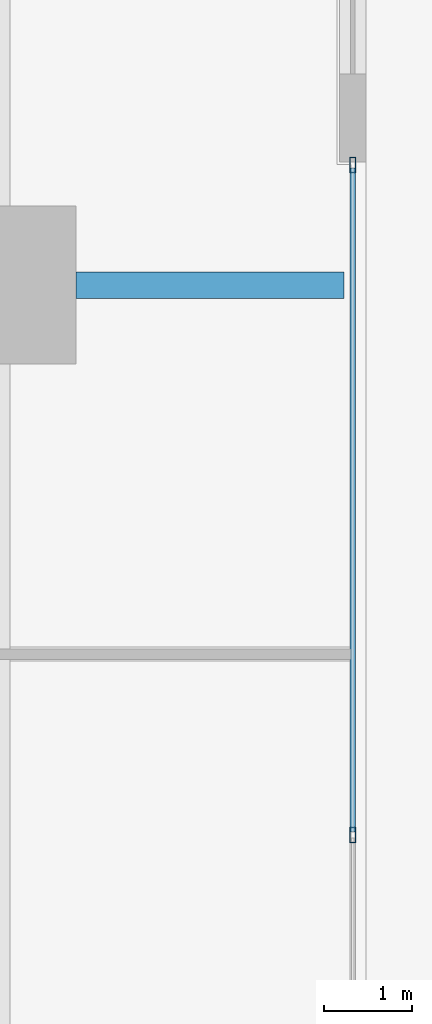
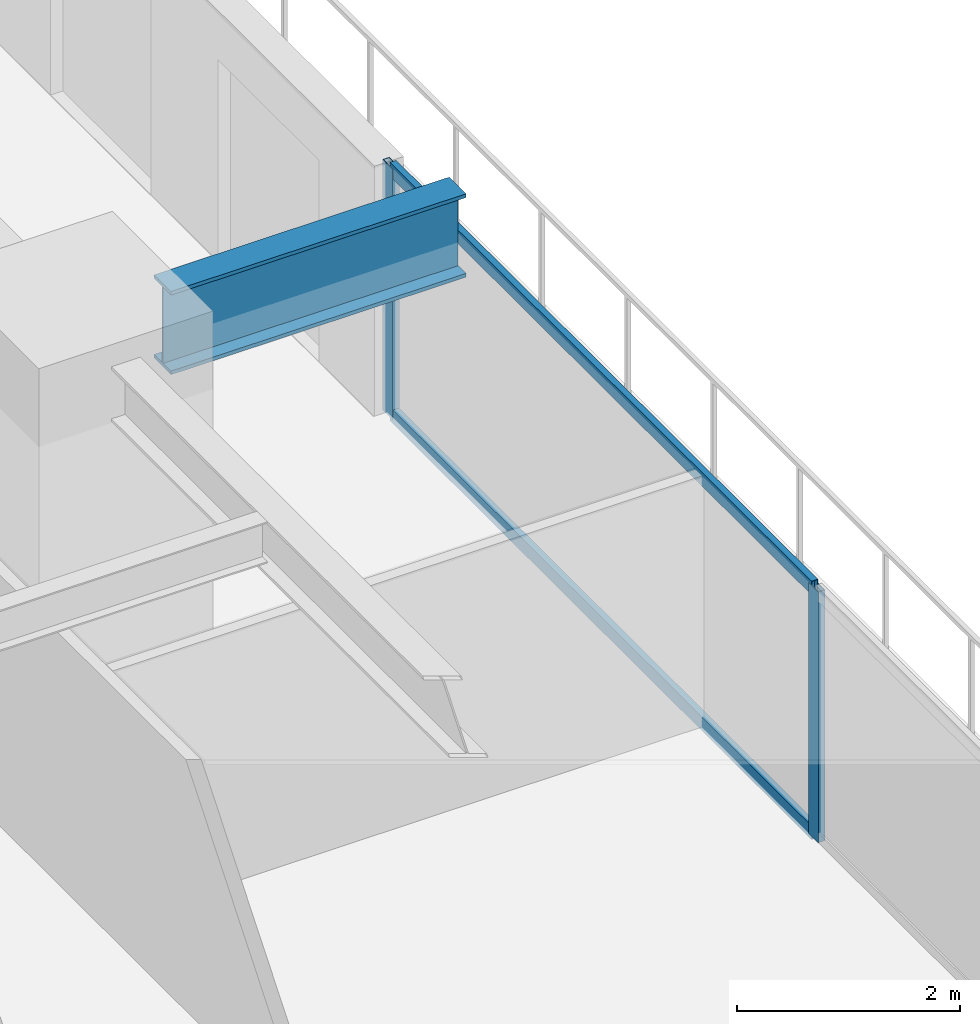
# One storey, part 15 of 33: 4 members, 1 beam, 1 element without a shape of its own.
"""IFC4 building model written with IfcOpenShell, lengths in metres."""

from ifc_helpers import new_model, si_unit, direction, frame, origin, origin_2d, place, context, subcontext, project, spatial, hollow_rectangle, i_section, extrude, source, transform, mapped, material, layer, layer_set, material_profile, profile_set, type_object, element, aggregate, save


model = new_model("IFC4")

# Units and contexts
model_context = context("Model", 3, precision=1e-05, world=origin(), true_north=direction((0.0, 1.0)))
body_context = subcontext(model_context, "Body", "Model", "MODEL_VIEW")
ifc_project = project(units=[si_unit("LENGTHUNIT", "METRE"), si_unit("AREAUNIT", "SQUARE_METRE"), si_unit("VOLUMEUNIT", "CUBIC_METRE"), si_unit("PLANEANGLEUNIT", "RADIAN"), si_unit("MASSUNIT", "GRAM", prefix="KILO")], contexts=[model_context])

# Site, building, storey
site_placement = place(None, origin())
site = spatial("IfcSite", under=ifc_project, at=site_placement, CompositionType="ELEMENT")
building_placement = place(site_placement, origin())
building = spatial("IfcBuilding", under=site, at=building_placement, Name="Sumidabori Civic Tower", CompositionType="ELEMENT")
storey_placement = place(building_placement, frame((0.0, 0.0, 23.60009765625)))
storey = spatial("IfcBuildingStorey", under=building, at=storey_placement, Name="L05", CompositionType="ELEMENT", Elevation=23.60009765625)

# Beam
ifc_material_1 = material(Name="Steel SN490", Category="steel")
ifc_material_profile_1 = material_profile(ifc_material_1, i_section(OverallWidth=0.302001953125, OverallDepth=0.909912109375, WebThickness=0.02099609375, FlangeThickness=0.0400390625, at=origin_2d()), Name="HE 900 M")
ifc_profile_set_1 = profile_set([ifc_material_profile_1], Name="Steel SN490")
beam_type = type_object("IfcBeamType", Name="BM-Z1-EDGE", PredefinedType="SPANDREL", material=ifc_profile_set_1)
shared_shape_1 = source(origin(), body_context, "Body", "SweptSolid", [
    extrude(i_section(OverallWidth=0.302001953125, OverallDepth=0.909912109375, WebThickness=0.02099609375, FlangeThickness=0.0400390625, at=origin_2d()), origin(), (0.0, 0.0, 1.0), 3.050048828125),
])
beam_placement = place(storey_placement, frame((23.699951171875, 0.0, 2.90478515625), z_axis=(1.0, 0.0, 0.0), x_axis=(0.0, 1.0, 0.0)))
element("IfcBeam", 1, at=beam_placement, inside=storey, type_object=beam_type, Name="Perimeter Overhang Beam L05 E-45", PredefinedType="SPANDREL", context=body_context, shape_type="MappedRepresentation", body=[
    mapped(shared_shape_1, transform((0.0, 0.0, 0.0), x_axis=(1.0, 0.0, 0.0), y_axis=(0.0, 1.0, 0.0), z_axis=(0.0, 0.0, 1.0), scale=1.0)),
])

# Curtain wall, members
ifc_material_2 = material(Name="Anodised Bronze Aluminium AW-6063-T6", Category="aluminium")
ifc_layer = layer(ifc_material_2, 0.179931640625, Name="Anodised Bronze Aluminium AW-6063-T6")
ifc_layer_set = layer_set([ifc_layer], Name="Anodised Bronze Aluminium AW-6063-T6")
curtain_wall_type = type_object("IfcCurtainWallType", Name="CW-SYS-2", PredefinedType="NOTDEFINED", material=ifc_layer_set)
curtain_wall_placement = place(storey_placement, origin())
curtain_wall = element("IfcCurtainWall", 2, at=curtain_wall_placement, inside=storey, type_object=curtain_wall_type, Name="Curtain Wall CW:L05:R04", PredefinedType="NOTDEFINED")
ifc_material_profile_2 = material_profile(ifc_material_2, hollow_rectangle(XDim=0.070068359375, YDim=0.179931640625, WallThickness=0.006103515625, at=origin_2d()), Name="ALU MULLION 180x70")
ifc_profile_set_2 = profile_set([ifc_material_profile_2], Name="Anodised Bronze Aluminium AW-6063-T6")
member_type_1 = type_object("IfcMemberType", Name="CW-MUL-180", PredefinedType="MULLION", material=ifc_profile_set_2)
shared_shape_2 = source(origin(), body_context, "Body", "SweptSolid", [
    extrude(hollow_rectangle(XDim=0.070068359375, YDim=0.179931640625, WallThickness=0.006103515625, at=origin_2d()), origin(), (0.0, 0.0, 1.0), 2.739990234375),
])
member_1_placement = place(storey_placement, frame((26.85009765625, -6.256591796875, 0.0), z_axis=(0.0, 0.0, 1.0), x_axis=(-1.0, 0.0, 0.0)))
member_1 = element("IfcMember", 3, at=member_1_placement, type_object=member_type_1, Name="CW-2 mullion 3", PredefinedType="MULLION", context=body_context, shape_type="MappedRepresentation", body=[
    mapped(shared_shape_2, transform((0.0, 0.0, 0.0), x_axis=(1.0, 0.0, 0.0), y_axis=(0.0, 1.0, 0.0), z_axis=(0.0, 0.0, 1.0), scale=1.0)),
])
member_2_placement = place(storey_placement, frame((26.85009765625, 1.364990234375, 0.0), z_axis=(0.0, 0.0, 1.0), x_axis=(-1.0, 0.0, 0.0)))
member_2 = element("IfcMember", 4, at=member_2_placement, type_object=member_type_1, Name="CW-2 mullion 4", PredefinedType="MULLION", context=body_context, shape_type="MappedRepresentation", body=[
    mapped(shared_shape_2, transform((0.0, 0.0, 0.0), x_axis=(1.0, 0.0, 0.0), y_axis=(0.0, 1.0, 0.0), z_axis=(0.0, 0.0, 1.0), scale=1.0)),
])
ifc_material_profile_3 = material_profile(ifc_material_2, hollow_rectangle(XDim=0.06494140625, YDim=0.14990234375, WallThickness=0.0048828125, at=origin_2d()), Name="ALU TRANSOM 150x65")
ifc_profile_set_3 = profile_set([ifc_material_profile_3], Name="Anodised Bronze Aluminium AW-6063-T6")
member_type_2 = type_object("IfcMemberType", Name="CW-TRN-150", PredefinedType="USERDEFINED", material=ifc_profile_set_3)
shared_shape_3 = source(origin(), body_context, "Body", "SweptSolid", [
    extrude(hollow_rectangle(XDim=0.06494140625, YDim=0.14990234375, WallThickness=0.0048828125, at=origin_2d()), origin(), (0.0, 0.0, 1.0), 7.5517578125),
])
member_3_placement = place(storey_placement, frame((26.85009765625, -6.2216796875, 0.032470703125), z_axis=(0.0, 1.0, 0.0), x_axis=(-1.0, 0.0, 0.0)))
member_3 = element("IfcMember", 5, at=member_3_placement, type_object=member_type_2, Name="CW-2 transom 3.1", ObjectType="TRANSOM", PredefinedType="USERDEFINED", context=body_context, shape_type="MappedRepresentation", body=[
    mapped(shared_shape_3, transform((0.0, 0.0, 0.0), x_axis=(1.0, 0.0, 0.0), y_axis=(0.0, 1.0, 0.0), z_axis=(0.0, 0.0, 1.0), scale=1.0)),
])
member_4_placement = place(storey_placement, frame((26.85009765625, -6.2216796875, 2.70751953125), z_axis=(0.0, 1.0, 0.0), x_axis=(-1.0, 0.0, 0.0)))
member_4 = element("IfcMember", 6, at=member_4_placement, type_object=member_type_2, Name="CW-2 transom 3.2", ObjectType="TRANSOM", PredefinedType="USERDEFINED", context=body_context, shape_type="MappedRepresentation", body=[
    mapped(shared_shape_3, transform((0.0, 0.0, 0.0), x_axis=(1.0, 0.0, 0.0), y_axis=(0.0, 1.0, 0.0), z_axis=(0.0, 0.0, 1.0), scale=1.0)),
])
aggregate(curtain_wall, [member_1, member_2, member_3, member_4])

save(model, "model.ifc")
